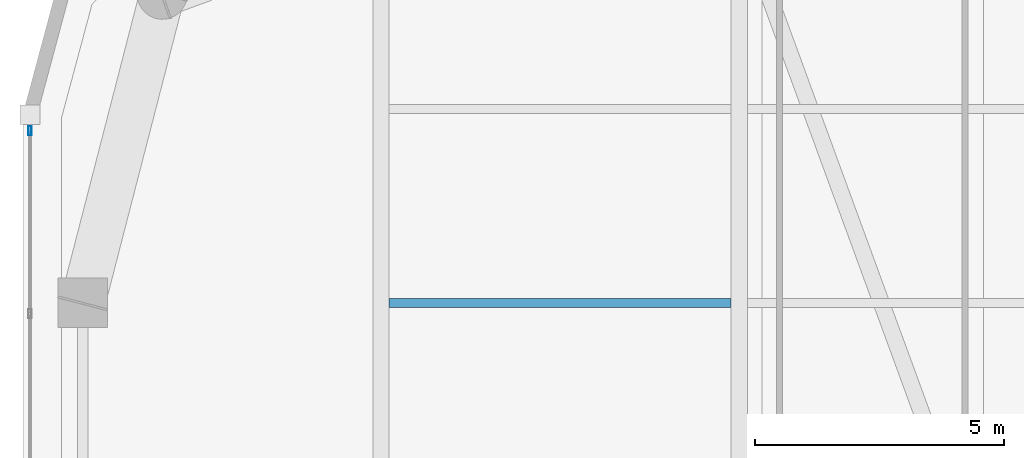
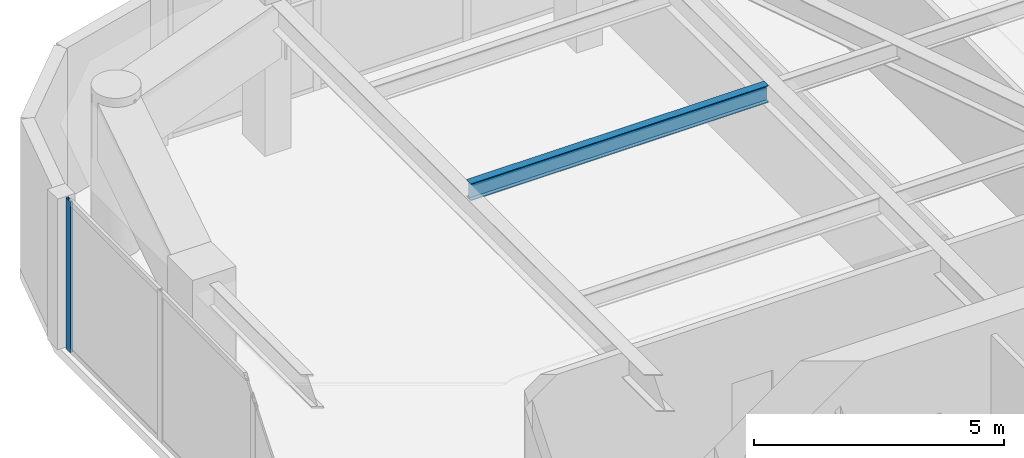
# One storey, part 8 of 21: 1 beam, 1 member, 1 element without a shape of its own.
"""IFC4 building model written with IfcOpenShell, lengths in metres."""

import ifcopenshell
import ifcopenshell.guid

model = None  # the IFC model being written
_history = None  # IfcOwnerHistory: only IFC2X3 demands one
_inside = {}  # id of a spatial element -> (the spatial element, [elements in it])
_under = {}  # id of a project, library or spatial element -> (it, [spatial elements below it])
_declared = {}  # id of a project -> (the project, [libraries it declares])
_typed = {}  # id of a type object -> (the type object, [elements of that type])
_made_of = {}  # id of a material, layer set ... -> (it, [elements and type objects made of it])


def new_model(schema):
    """Start an empty IFC model of exactly this schema.

    Asked for "IFC4X3", IfcOpenShell would pick the latest addendum, in which some entities
    have other attributes; the version numbers below select the first issue.
    IFC2X3 requires an IfcOwnerHistory on every rooted entity: one is made here for all.
    """
    global model, _history
    if schema == "IFC4X3":
        model = ifcopenshell.file(schema_version=(4, 3, 0, 0))
    else:
        model = ifcopenshell.file(schema=schema)
    _inside.clear()
    _under.clear()
    _declared.clear()
    _typed.clear()
    _made_of.clear()
    _history = None
    if model.schema == "IFC2X3":
        org = make("IfcOrganization", Name="unknown")
        user = make(
            "IfcPersonAndOrganization",
            ThePerson=make("IfcPerson", FamilyName="unknown"),
            TheOrganization=org,
        )
        app = make(
            "IfcApplication",
            ApplicationDeveloper=org,
            Version="unknown",
            ApplicationFullName="unknown",
            ApplicationIdentifier="unknown",
        )
        _history = make(
            "IfcOwnerHistory",
            OwningUser=user,
            OwningApplication=app,
            ChangeAction="ADDED",
            CreationDate=0,
        )
    return model


def make(cls, **values):
    """One entity of the class cls with the attributes given. An attribute that is None is left unset."""
    return model.create_entity(
        cls, **{name: value for name, value in values.items() if value is not None}
    )


def rooted(cls, **values):
    """An entity with a GlobalId (a new one), such as an element, a storey or a relation."""
    return make(cls, GlobalId=ifcopenshell.guid.new(), OwnerHistory=_history, **values)


def si_unit(unit_type, name, prefix=None):
    """IfcSIUnit, for example si_unit("LENGTHUNIT", "METRE", prefix="MILLI")."""
    return make("IfcSIUnit", UnitType=unit_type, Prefix=prefix, Name=name)


def assignment(units):
    """IfcUnitAssignment: the units of a project."""
    return None if units is None else make("IfcUnitAssignment", Units=units)


def point(xyz):
    """IfcCartesianPoint."""
    return None if xyz is None else make("IfcCartesianPoint", Coordinates=xyz)


def direction(xyz):
    """IfcDirection."""
    return None if xyz is None else make("IfcDirection", DirectionRatios=xyz)


def frame(location, z_axis=None, x_axis=None):
    """IfcAxis2Placement3D, a coordinate frame: its origin and axes. An axis left out is left unset."""
    return make(
        "IfcAxis2Placement3D",
        Location=point(location),
        Axis=direction(z_axis),
        RefDirection=direction(x_axis),
    )


def frame_2d(location, x_axis=None):
    """IfcAxis2Placement2D, a coordinate frame in the plane: its origin and x axis."""
    return make(
        "IfcAxis2Placement2D", Location=point(location), RefDirection=direction(x_axis)
    )


def origin():
    """The frame at (0, 0, 0) with its axes left unset."""
    return frame((0.0, 0.0, 0.0))


def origin_2d():
    """The frame at (0, 0) in the plane with its x axis left unset."""
    return frame_2d((0.0, 0.0))


def place(relative_to, where):
    """IfcLocalPlacement: puts the frame where relative to a parent placement (None: the world)."""
    return make(
        "IfcLocalPlacement", PlacementRelTo=relative_to, RelativePlacement=where
    )


def context(
    kind, dimensions, precision=None, world=None, true_north=None, identifier=None
):
    """IfcGeometricRepresentationContext, for example the 3D "Model" context."""
    return make(
        "IfcGeometricRepresentationContext",
        ContextIdentifier=identifier,
        ContextType=kind,
        CoordinateSpaceDimension=dimensions,
        Precision=precision,
        WorldCoordinateSystem=world,
        TrueNorth=true_north,
    )


def subcontext(parent, identifier, kind, view, scale=None):
    """IfcGeometricRepresentationSubContext, for example "Body" below "Model"."""
    return make(
        "IfcGeometricRepresentationSubContext",
        ContextIdentifier=identifier,
        ContextType=kind,
        ParentContext=parent,
        TargetScale=scale,
        TargetView=view,
    )


def project(units=None, contexts=None):
    """IfcProject with its units and contexts."""
    return rooted(
        "IfcProject",
        Name="project",
        RepresentationContexts=contexts,
        UnitsInContext=assignment(units),
    )


def spatial(cls, under=None, at=None, **own):
    """A site, building, storey or space (cls), placed at a placement, below another one or the project."""
    s = rooted(cls, ObjectPlacement=at, **own)
    if under is not None:
        _under.setdefault(under.id(), (under, []))[1].append(s)
    return s


def profile(cls, at=None, kind="AREA", **sizes):
    """A parametric profile (cls). Its sizes go by their IFC names, for example OverallWidth=200.0."""
    return make(cls, ProfileType=kind, Position=at, **sizes)


def hollow_rectangle(**sizes):
    """IfcRectangleHollowProfileDef."""
    return profile("IfcRectangleHollowProfileDef", **sizes)


def i_section(**sizes):
    """IfcIShapeProfileDef."""
    return profile("IfcIShapeProfileDef", **sizes)


def extrude(swept, where, along, depth):
    """IfcExtrudedAreaSolid: the profile swept, set in the frame where, extruded along a direction by depth."""
    return make(
        "IfcExtrudedAreaSolid",
        SweptArea=swept,
        Position=where,
        ExtrudedDirection=direction(along),
        Depth=depth,
    )


def shape(context_of_items, identifier, shape_type, items):
    """IfcShapeRepresentation: the items that make up one representation, for example the "Body"."""
    return make(
        "IfcShapeRepresentation",
        ContextOfItems=context_of_items,
        RepresentationIdentifier=identifier,
        RepresentationType=shape_type,
        Items=items,
    )


def material(Name=None, Category=None):
    """IfcMaterial."""
    return make("IfcMaterial", Name=Name, Category=Category)


def layer(
    of_material, thickness, ventilated=None, Name=None, Category=None, Priority=None
):
    """IfcMaterialLayer: one layer of a wall or slab, of a material (None: an air gap)."""
    return make(
        "IfcMaterialLayer",
        Material=of_material,
        LayerThickness=thickness,
        IsVentilated=ventilated,
        Name=Name,
        Category=Category,
        Priority=Priority,
    )


def layer_set(layers, Name=None):
    """IfcMaterialLayerSet."""
    return make("IfcMaterialLayerSet", MaterialLayers=layers, LayerSetName=Name)


def material_profile(
    of_material, cross_section, Name=None, Category=None, Priority=None
):
    """IfcMaterialProfile: a cross section and its material."""
    return make(
        "IfcMaterialProfile",
        Name=Name,
        Material=of_material,
        Profile=cross_section,
        Priority=Priority,
        Category=Category,
    )


def profile_set(profiles, Name=None, composite=None):
    """IfcMaterialProfileSet."""
    return make(
        "IfcMaterialProfileSet",
        Name=Name,
        MaterialProfiles=profiles,
        CompositeProfile=composite,
    )


def made_of(thing, what):
    """Note that an element or type object is made of a material, layer set ...; save() writes the relation."""
    if what is not None:
        _made_of.setdefault(what.id(), (what, []))[1].append(thing)
    return thing


def type_object(cls, material=None, **own):
    """A type object (cls), such as IfcWallType, which elements share."""
    return made_of(rooted(cls, **own), material)


def element(
    cls,
    number,
    at=None,
    inside=None,
    cuts=None,
    type_object=None,
    material=None,
    context=None,
    identifier="Body",
    shape_type=None,
    held_by="IfcProductDefinitionShape",
    body=None,
    shapes=None,
    **own,
):
    """One element of the class cls, such as IfcWall. Its Tag is "e" and its number.

    at: its placement. inside: the storey or other place that contains it. cuts: it is an
    opening in that element (IfcRelVoidsElement). A single representation is given by context,
    identifier, shape_type and body (its items); several are given by shapes. held_by: the class
    of the entity that holds the representations. save() writes the other relations.
    """
    e = rooted(cls, Tag="e%d" % number, ObjectPlacement=at, **own)
    if body is not None:
        shapes = [shape(context, identifier, shape_type, body)]
    if shapes is not None:
        e.Representation = make(held_by, Representations=shapes)
    if inside is not None:
        _inside.setdefault(inside.id(), (inside, []))[1].append(e)
    if cuts is not None:
        rooted(
            "IfcRelVoidsElement", RelatingBuildingElement=cuts, RelatedOpeningElement=e
        )
    if type_object is not None:
        _typed.setdefault(type_object.id(), (type_object, []))[1].append(e)
    return made_of(e, material)


def aggregate(whole, parts):
    """IfcRelAggregates: a whole, such as a stair, and the parts it consists of."""
    return rooted("IfcRelAggregates", RelatingObject=whole, RelatedObjects=parts)


def save(model, path):
    """Write the relations noted so far, then the file.

    IfcRelAggregates (storeys below a building ...), IfcRelContainedInSpatialStructure (elements
    in a storey), IfcRelDefinesByType, IfcRelAssociatesMaterial and IfcRelDeclares: one each for
    every whole, place, type object, material and project.
    """
    for whole, parts in _under.values():
        aggregate(whole, parts)
    for where, things in _inside.values():
        rooted(
            "IfcRelContainedInSpatialStructure",
            RelatedElements=things,
            RelatingStructure=where,
        )
    for kind, things in _typed.values():
        rooted("IfcRelDefinesByType", RelatedObjects=things, RelatingType=kind)
    for what, things in _made_of.values():
        rooted("IfcRelAssociatesMaterial", RelatedObjects=things, RelatingMaterial=what)
    for by, libraries in _declared.values():
        rooted("IfcRelDeclares", RelatingContext=by, RelatedDefinitions=libraries)
    model.write(path)


model = new_model("IFC4")

# Units and contexts
model_context = context("Model", 3, precision=1e-05, world=origin(), true_north=direction((0.0, 1.0)))
body_context = subcontext(model_context, "Body", "Model", "MODEL_VIEW")
ifc_project = project(units=[si_unit("LENGTHUNIT", "METRE"), si_unit("AREAUNIT", "SQUARE_METRE"), si_unit("VOLUMEUNIT", "CUBIC_METRE"), si_unit("PLANEANGLEUNIT", "RADIAN"), si_unit("MASSUNIT", "GRAM", prefix="KILO")], contexts=[model_context])

# Site, building, storey
site_placement = place(None, origin())
site = spatial("IfcSite", under=ifc_project, at=site_placement, CompositionType="ELEMENT")
building_placement = place(site_placement, origin())
building = spatial("IfcBuilding", under=site, at=building_placement, Name="Kiyonajd Concourse Tower", CompositionType="ELEMENT")
storey_placement = place(building_placement, frame((0.0, 0.0, 247.199951171875)))
storey = spatial("IfcBuildingStorey", under=building, at=storey_placement, Name="L62", CompositionType="ELEMENT", Elevation=247.199951171875)

# Beam
ifc_material_1 = material(Name="Steel ASTM A992 Grade 50", Category="steel")
ifc_material_profile_1 = material_profile(ifc_material_1, i_section(OverallWidth=0.180908203125, OverallDepth=0.4169921875, WebThickness=0.010986328125, FlangeThickness=0.018310546875, at=origin_2d()), Name="W410X85")
ifc_profile_set_1 = profile_set([ifc_material_profile_1], Name="Steel ASTM A992 Grade 50")
beam_type = type_object("IfcBeamType", Name="BM-JST-410", PredefinedType="JOIST", material=ifc_profile_set_1)
beam_placement = place(storey_placement, frame((32.56201171875, 53.39990234375, 3.471435546875), z_axis=(1.0, 0.0, 0.0), x_axis=(0.0, 1.0, 0.0)))
element("IfcBeam", 1, at=beam_placement, inside=storey, type_object=beam_type, Name="L62 Secondary Floor Joist", PredefinedType="JOIST", context=body_context, shape_type="SweptSolid", body=[
    extrude(i_section(OverallWidth=0.180908203125, OverallDepth=0.4169921875, WebThickness=0.010986328125, FlangeThickness=0.018310546875, at=origin_2d()), origin(), (0.0, 0.0, 1.0), 6.8759765625),
])

# Curtain wall, member
ifc_material_2 = material(Name="Thermally Broken Anodised Aluminium", Category="aluminium")
ifc_layer = layer(ifc_material_2, 0.179931640625)
ifc_layer_set = layer_set([ifc_layer], Name="Thermally Broken Anodised Aluminium")
curtain_wall_type = type_object("IfcCurtainWallType", Name="CW-SYS-04", PredefinedType="NOTDEFINED", material=ifc_layer_set)
curtain_wall_placement = place(storey_placement, origin())
curtain_wall = element("IfcCurtainWall", 2, at=curtain_wall_placement, inside=storey, type_object=curtain_wall_type, Name="L62 Unitised Curtain Wall CW4", PredefinedType="NOTDEFINED")
ifc_material_profile_2 = material_profile(ifc_material_2, hollow_rectangle(XDim=0.06494140625, YDim=0.179931640625, WallThickness=0.00390625, at=origin_2d()), Name="MULL-65x180")
ifc_profile_set_2 = profile_set([ifc_material_profile_2], Name="Thermally Broken Anodised Aluminium")
member_type = type_object("IfcMemberType", Name="MB-CW-MULL1", PredefinedType="MULLION", material=ifc_profile_set_2)
member_placement = place(storey_placement, frame((25.340087890625, 56.859130859375, 0.0), z_axis=(0.0, 0.0, 1.0), x_axis=(-1.0, 0.0, 0.0)))
member = element("IfcMember", 3, at=member_placement, type_object=member_type, Name="CW4 mullion 7", PredefinedType="MULLION", context=body_context, shape_type="SweptSolid", body=[
    extrude(hollow_rectangle(XDim=0.06494140625, YDim=0.179931640625, WallThickness=0.00390625, at=origin_2d()), origin(), (0.0, 0.0, 1.0), 3.679931640625),
])
aggregate(curtain_wall, [member])

save(model, "model.ifc")
